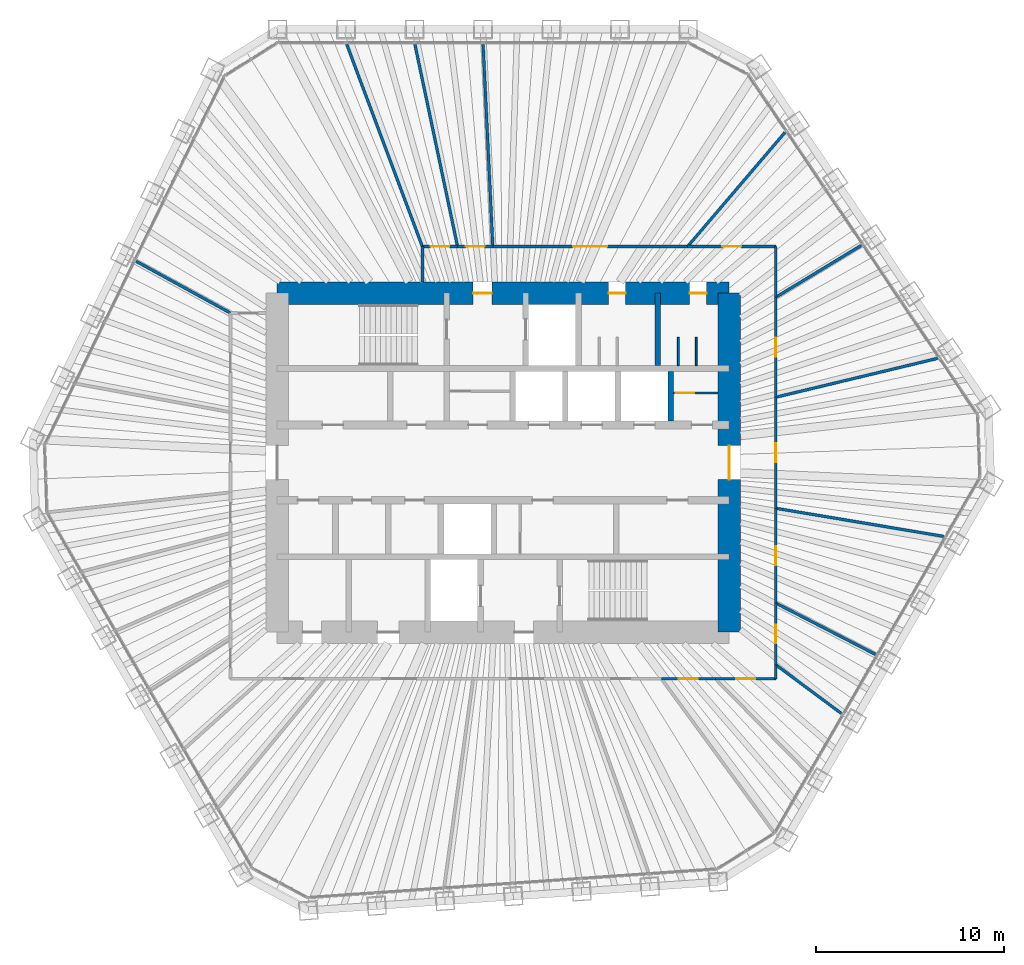
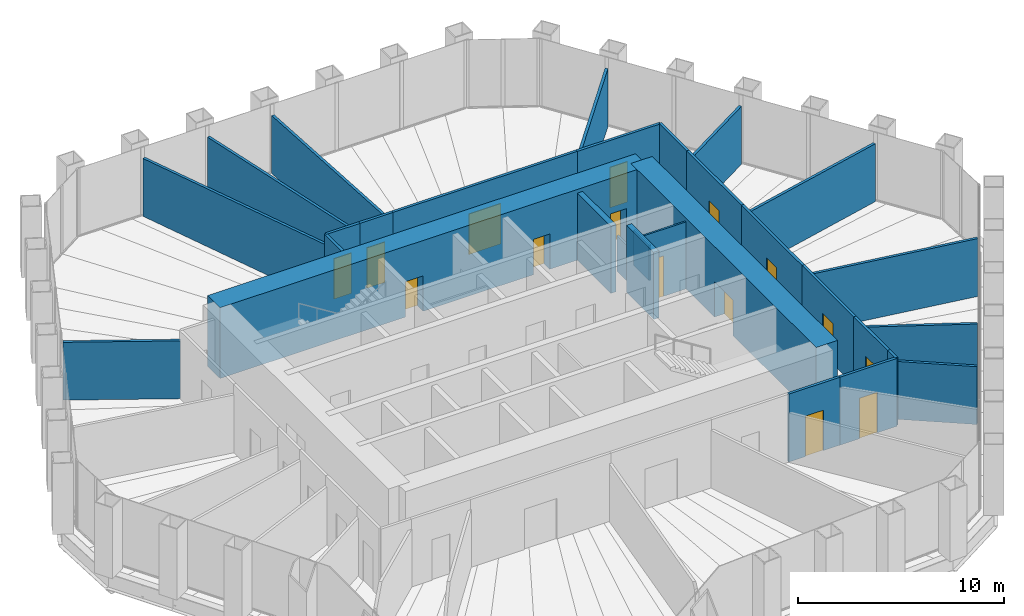
# One storey, part 12 of 14: 30 walls, 15 doors, 15 openings.
"""IFC4 building model written with IfcOpenShell, lengths in metres."""

from ifc_helpers import new_model, si_unit, direction, frame, frame_2d, origin, place, context, subcontext, project, spatial, rectangle, extrude, material, layer, layer_set, type_object, element, fill, save


model = new_model("IFC4")

# Units and contexts
model_context = context("Model", 3, precision=1e-05, world=origin(), true_north=direction((0.0, 1.0)))
body_context = subcontext(model_context, "Body", "Model", "MODEL_VIEW")
ifc_project = project(units=[si_unit("LENGTHUNIT", "METRE"), si_unit("AREAUNIT", "SQUARE_METRE"), si_unit("VOLUMEUNIT", "CUBIC_METRE"), si_unit("PLANEANGLEUNIT", "RADIAN"), si_unit("MASSUNIT", "GRAM", prefix="KILO")], contexts=[model_context])

# Site, building, storey
site_placement = place(None, origin())
site = spatial("IfcSite", under=ifc_project, at=site_placement, CompositionType="ELEMENT")
building_placement = place(site_placement, origin())
building = spatial("IfcBuilding", under=site, at=building_placement, Name="Qingtian Harvest Tower", CompositionType="ELEMENT")
storey_placement = place(building_placement, frame((0.0, 0.0, 243.39990234375)))
storey = spatial("IfcBuildingStorey", under=building, at=storey_placement, Name="L53", CompositionType="ELEMENT", Elevation=243.39990234375)

# Walls
ifc_material_1 = material(Name="Precast concrete shaft panel", Category="concrete")
ifc_layer_1 = layer(ifc_material_1, 0.300048828125)
ifc_layer_set_1 = layer_set([ifc_layer_1], Name="Core shaft partition SW1 300")
wall_type_1 = type_object("IfcWallType", Name="Core shaft partition SW1 300", PredefinedType="PARTITIONING", material=ifc_layer_set_1)
wall_1_placement = place(storey_placement, frame((8.199951171875, 5.14990234375, 0.0), z_axis=(0.0, 0.0, 1.0), x_axis=(0.0, 1.0, 0.0)))
element("IfcWall", 1, at=wall_1_placement, inside=storey, type_object=wall_type_1, Name="Core shaft partition XN4 L53", PredefinedType="PARTITIONING", context=body_context, shape_type="SweptSolid", body=[
    extrude(rectangle(XDim=3.85009765625, YDim=0.300048828125, at=frame_2d((1.925048828125, 0.0))), origin(), (0.0, 0.0, 1.0), 3.97998046875),
])
wall_2_placement = place(storey_placement, frame((8.89990234375, 2.199951171875, 0.0), z_axis=(0.0, 0.0, 1.0), x_axis=(0.0, 1.0, 0.0)))
element("IfcWall", 2, at=wall_2_placement, inside=storey, type_object=wall_type_1, Name="Core shaft partition XA6 L53", PredefinedType="PARTITIONING", context=body_context, shape_type="SweptSolid", body=[
    extrude(rectangle(XDim=2.650146484375, YDim=0.300048828125, at=frame_2d((1.3251953125, 0.0))), origin(), (0.0, 0.0, 1.0), 3.97998046875),
])

# Wall, openings, doors
ifc_material_2 = material(Name="Concrete fc' 70 MPa", Category="concrete")
ifc_layer_2 = layer(ifc_material_2, 1.199951171875)
ifc_layer_set_2 = layer_set([ifc_layer_2], Name="Core wall RC2 1200")
wall_type_2 = type_object("IfcWallType", Name="Core wall RC2 1200", PredefinedType="SHEAR", material=ifc_layer_set_2)
wall_3_placement = place(storey_placement, frame((-12.0, 9.0, 0.0), z_axis=(0.0, 0.0, 1.0), x_axis=(1.0, 0.0, 0.0)))
wall_3 = element("IfcWall", 3, at=wall_3_placement, inside=storey, type_object=wall_type_2, Name="Core wall CN L53", PredefinedType="SHEAR", context=body_context, shape_type="SweptSolid", body=[
    extrude(rectangle(XDim=24.0, YDim=1.199951171875, at=frame_2d((12.0, 0.0))), origin(), (0.0, 0.0, 1.0), 4.2001953125),
])
opening_1_placement = place(wall_3_placement, frame((10.39990234375, 0.0, 0.0)))
opening_1 = element("IfcOpeningElement", 4, at=opening_1_placement, cuts=wall_3, Name="Opening FD1", PredefinedType="OPENING", context=body_context, shape_type="SweptSolid", body=[
    extrude(rectangle(XDim=1.0, YDim=2.10009765625, at=frame_2d((0.5, 1.050048828125))), frame((0.0, 0.60986328125, 0.0), z_axis=(0.0, -1.0, 0.0), x_axis=(1.0, 0.0, 0.0)), (0.0, 0.0, 1.0), 1.219970703125),
])
opening_2_placement = place(wall_3_placement, frame((17.60009765625, 0.0, 0.0)))
opening_2 = element("IfcOpeningElement", 5, at=opening_2_placement, cuts=wall_3, Name="Opening D1", PredefinedType="OPENING", context=body_context, shape_type="SweptSolid", body=[
    extrude(rectangle(XDim=0.89990234375, YDim=2.10009765625, at=frame_2d((0.449951171875, 1.050048828125))), frame((0.0, 0.60986328125, 0.0), z_axis=(0.0, -1.0, 0.0), x_axis=(1.0, 0.0, 0.0)), (0.0, 0.0, 1.0), 1.219970703125),
])
opening_3_placement = place(wall_3_placement, frame((21.89990234375, 0.0, 0.0)))
opening_3 = element("IfcOpeningElement", 6, at=opening_3_placement, cuts=wall_3, Name="Opening D1", PredefinedType="OPENING", context=body_context, shape_type="SweptSolid", body=[
    extrude(rectangle(XDim=0.89990234375, YDim=2.10009765625, at=frame_2d((0.449951171875, 1.050048828125))), frame((0.0, 0.60986328125, 0.0), z_axis=(0.0, -1.0, 0.0), x_axis=(1.0, 0.0, 0.0)), (0.0, 0.0, 1.0), 1.219970703125),
])
ifc_material_3 = material(Name="Steel-faced door leaf", Category="steel")
door_type_1 = type_object("IfcDoorType", Name="Fire door FD1 single 1 HR", OperationType="SINGLE_SWING_LEFT", PredefinedType="DOOR", material=ifc_material_3)
door_1_placement = place(opening_1_placement, origin())
door_1 = element("IfcDoor", 7, at=door_1_placement, inside=storey, type_object=door_type_1, Name="V1 door L53", OperationType="SINGLE_SWING_LEFT", OverallHeight=2.10009765625, OverallWidth=1.0, PredefinedType="DOOR", context=body_context, shape_type="SweptSolid", body=[
    extrude(rectangle(XDim=1.0, YDim=2.10009765625, at=frame_2d((0.5, 1.050048828125))), frame((0.0, 0.02490234375, 0.0), z_axis=(0.0, -1.0, 0.0), x_axis=(1.0, 0.0, 0.0)), (0.0, 0.0, 1.0), 0.050048828125),
])
fill(opening_1, door_1)
ifc_material_4 = material(Name="Laminated timber door leaf", Category="wood")
door_type_2 = type_object("IfcDoorType", Name="Toilet door D1 single", OperationType="SINGLE_SWING_LEFT", PredefinedType="DOOR", material=ifc_material_4)
door_2_placement = place(opening_2_placement, origin())
door_2 = element("IfcDoor", 8, at=door_2_placement, inside=storey, type_object=door_type_2, Name="WCM door L53", OperationType="SINGLE_SWING_LEFT", OverallHeight=2.10009765625, OverallWidth=0.89990234375, PredefinedType="DOOR", context=body_context, shape_type="SweptSolid", body=[
    extrude(rectangle(XDim=0.89990234375, YDim=2.10009765625, at=frame_2d((0.449951171875, 1.050048828125))), frame((0.0, 0.02490234375, 0.0), z_axis=(0.0, -1.0, 0.0), x_axis=(1.0, 0.0, 0.0)), (0.0, 0.0, 1.0), 0.050048828125),
])
fill(opening_2, door_2)
door_3_placement = place(opening_3_placement, origin())
door_3 = element("IfcDoor", 9, at=door_3_placement, inside=storey, type_object=door_type_2, Name="WCF door L53", OperationType="SINGLE_SWING_LEFT", OverallHeight=2.10009765625, OverallWidth=0.89990234375, PredefinedType="DOOR", context=body_context, shape_type="SweptSolid", body=[
    extrude(rectangle(XDim=0.89990234375, YDim=2.10009765625, at=frame_2d((0.449951171875, 1.050048828125))), frame((0.0, 0.02490234375, 0.0), z_axis=(0.0, -1.0, 0.0), x_axis=(1.0, 0.0, 0.0)), (0.0, 0.0, 1.0), 0.050048828125),
])
fill(opening_3, door_3)

# Wall, opening, door
wall_4_placement = place(storey_placement, frame((12.0, -9.0, 0.0), z_axis=(0.0, 0.0, 1.0), x_axis=(0.0, 1.0, 0.0)))
wall_4 = element("IfcWall", 10, at=wall_4_placement, inside=storey, type_object=wall_type_2, Name="Core wall CE L53", PredefinedType="SHEAR", context=body_context, shape_type="SweptSolid", body=[
    extrude(rectangle(XDim=18.0, YDim=1.199951171875, at=frame_2d((9.0, 0.0))), origin(), (0.0, 0.0, 1.0), 4.2001953125),
])
opening_4_placement = place(wall_4_placement, frame((8.10009765625, 0.0, 0.0)))
opening_4 = element("IfcOpeningElement", 11, at=opening_4_placement, cuts=wall_4, Name="Opening FD2", PredefinedType="OPENING", context=body_context, shape_type="SweptSolid", body=[
    extrude(rectangle(XDim=1.800048828125, YDim=2.10009765625, at=frame_2d((0.89990234375, 1.050048828125))), frame((0.0, 0.60986328125, 0.0), z_axis=(0.0, -1.0, 0.0), x_axis=(1.0, 0.0, 0.0)), (0.0, 0.0, 1.0), 1.219970703125),
])
ifc_material_5 = material(Name="Steel-faced door leaf", Category="steel")
door_type_3 = type_object("IfcDoorType", Name="Fire door FD2 double 1 HR", OperationType="DOUBLE_DOOR_DOUBLE_SWING", PredefinedType="DOOR", material=ifc_material_5)
door_4_placement = place(opening_4_placement, origin())
door_4 = element("IfcDoor", 12, at=door_4_placement, inside=storey, type_object=door_type_3, Name="LOBBY-E door L53", OperationType="DOUBLE_DOOR_DOUBLE_SWING", OverallHeight=2.10009765625, OverallWidth=1.800048828125, PredefinedType="DOOR", context=body_context, shape_type="SweptSolid", body=[
    extrude(rectangle(XDim=1.800048828125, YDim=2.10009765625, at=frame_2d((0.89990234375, 1.050048828125))), frame((0.0, 0.02490234375, 0.0), z_axis=(0.0, -1.0, 0.0), x_axis=(1.0, 0.0, 0.0)), (0.0, 0.0, 1.0), 0.050048828125),
])
fill(opening_4, door_4)

# Walls
ifc_material_6 = material(Name="Gypsum board on steel studs", Category="steel")
ifc_layer_3 = layer(ifc_material_6, 0.14990234375)
ifc_layer_set_3 = layer_set([ifc_layer_3], Name="Partition PT1 150")
wall_type_3 = type_object("IfcWallType", Name="Partition PT1 150", PredefinedType="PARTITIONING", material=ifc_layer_set_3)
wall_5_placement = place(storey_placement, frame((-19.48583984375, 10.6904296875, 0.0), z_axis=(0.0, 0.0, 1.0), x_axis=(0.876724089264, -0.480993629172, 0.0)))
element("IfcWall", 13, at=wall_5_placement, inside=storey, type_object=wall_type_3, Name="Workplace zone wall L53", PredefinedType="PARTITIONING", context=body_context, shape_type="SweptSolid", body=[
    extrude(rectangle(XDim=5.71533203125, YDim=0.14990234375, at=frame_2d((2.857666015625, 0.0))), origin(), (0.0, 0.0, 1.0), 3.43017578125),
])
wall_6_placement = place(storey_placement, frame((-4.290771484375, 9.60009765625, 0.0), z_axis=(0.0, 0.0, 1.0), x_axis=(0.0, 1.0, 0.0)))
element("IfcWall", 14, at=wall_6_placement, inside=storey, type_object=wall_type_3, Name="Workplace zone wall L53", PredefinedType="PARTITIONING", context=body_context, shape_type="SweptSolid", body=[
    extrude(rectangle(XDim=1.875, YDim=0.14990234375, at=frame_2d((0.9375, 0.0))), origin(), (0.0, 0.0, 1.0), 4.030029296875),
])
wall_7_placement = place(storey_placement, frame((-8.303466796875, 22.206298828125, 0.0), z_axis=(0.0, 0.0, 1.0), x_axis=(0.350242883069, -0.936658914899, 0.0)))
element("IfcWall", 15, at=wall_7_placement, inside=storey, type_object=wall_type_3, Name="Private office wall L53", PredefinedType="PARTITIONING", context=body_context, shape_type="SweptSolid", body=[
    extrude(rectangle(XDim=11.456787109375, YDim=0.14990234375, at=frame_2d((5.728515625, 0.0))), origin(), (0.0, 0.0, 1.0), 3.43017578125),
])

# Wall, opening, door
wall_8_placement = place(storey_placement, frame((-4.290771484375, 11.47509765625, 0.0), z_axis=(0.0, 0.0, 1.0), x_axis=(1.0, 0.0, 0.0)))
wall_8 = element("IfcWall", 16, at=wall_8_placement, inside=storey, type_object=wall_type_3, Name="Private office wall L53", PredefinedType="PARTITIONING", context=body_context, shape_type="SweptSolid", body=[
    extrude(rectangle(XDim=1.869873046875, YDim=0.14990234375, at=frame_2d((0.93505859375, 0.0))), origin(), (0.0, 0.0, 1.0), 4.030029296875),
])
opening_5_placement = place(wall_8_placement, frame((0.434814453125, 0.0, 0.0)))
opening_5 = element("IfcOpeningElement", 17, at=opening_5_placement, cuts=wall_8, Name="Opening D2", PredefinedType="OPENING", context=body_context, shape_type="SweptSolid", body=[
    extrude(rectangle(XDim=1.0, YDim=2.39990234375, at=frame_2d((0.5, 1.199951171875))), frame((0.0, 0.0849609375, 0.0), z_axis=(0.0, -1.0, 0.0), x_axis=(1.0, 0.0, 0.0)), (0.0, 0.0, 1.0), 0.169921875),
])
ifc_material_7 = material(Name="Laminated timber door leaf", Category="wood")
door_type_4 = type_object("IfcDoorType", Name="Room door D2 single", OperationType="SINGLE_SWING_LEFT", PredefinedType="DOOR", material=ifc_material_7)
door_5_placement = place(opening_5_placement, origin())
door_5 = element("IfcDoor", 18, at=door_5_placement, inside=storey, type_object=door_type_4, Name="Private office door L53", OperationType="SINGLE_SWING_RIGHT", OverallHeight=2.39990234375, OverallWidth=1.0, PredefinedType="DOOR", context=body_context, shape_type="SweptSolid", body=[
    extrude(rectangle(XDim=1.0, YDim=2.39990234375, at=frame_2d((0.5, 1.199951171875))), frame((0.0, 0.02490234375, 0.0), z_axis=(0.0, -1.0, 0.0), x_axis=(1.0, 0.0, 0.0)), (0.0, 0.0, 1.0), 0.050048828125),
])
fill(opening_5, door_5)

# Wall
wall_9_placement = place(storey_placement, frame((-4.684326171875, 22.2021484375, 0.0), z_axis=(0.0, 0.0, 1.0), x_axis=(0.206456017157, -0.978455881979, 0.0)))
element("IfcWall", 19, at=wall_9_placement, inside=storey, type_object=wall_type_3, Name="Store room wall L53", PredefinedType="PARTITIONING", context=body_context, shape_type="SweptSolid", body=[
    extrude(rectangle(XDim=10.963134765625, YDim=0.14990234375, at=frame_2d((5.4814453125, 0.0))), origin(), (0.0, 0.0, 1.0), 3.43017578125),
])

# Wall, opening, door
wall_10_placement = place(storey_placement, frame((-2.4208984375, 11.47509765625, 0.0), z_axis=(0.0, 0.0, 1.0), x_axis=(1.0, 0.0, 0.0)))
wall_10 = element("IfcWall", 20, at=wall_10_placement, inside=storey, type_object=wall_type_3, Name="Store room wall L53", PredefinedType="PARTITIONING", context=body_context, shape_type="SweptSolid", body=[
    extrude(rectangle(XDim=1.86962890625, YDim=0.14990234375, at=frame_2d((0.934814453125, 0.0))), origin(), (0.0, 0.0, 1.0), 4.030029296875),
])
opening_6_placement = place(wall_10_placement, frame((0.434814453125, 0.0, 0.0)))
opening_6 = element("IfcOpeningElement", 21, at=opening_6_placement, cuts=wall_10, Name="Opening D2", PredefinedType="OPENING", context=body_context, shape_type="SweptSolid", body=[
    extrude(rectangle(XDim=1.0, YDim=2.39990234375, at=frame_2d((0.5, 1.199951171875))), frame((0.0, 0.0849609375, 0.0), z_axis=(0.0, -1.0, 0.0), x_axis=(1.0, 0.0, 0.0)), (0.0, 0.0, 1.0), 0.169921875),
])
door_6_placement = place(opening_6_placement, origin())
door_6 = element("IfcDoor", 22, at=door_6_placement, inside=storey, type_object=door_type_4, Name="Store room door L53", OperationType="SINGLE_SWING_RIGHT", OverallHeight=2.39990234375, OverallWidth=1.0, PredefinedType="DOOR", context=body_context, shape_type="SweptSolid", body=[
    extrude(rectangle(XDim=1.0, YDim=2.39990234375, at=frame_2d((0.5, 1.199951171875))), frame((0.0, 0.02490234375, 0.0), z_axis=(0.0, -1.0, 0.0), x_axis=(1.0, 0.0, 0.0)), (0.0, 0.0, 1.0), 0.050048828125),
])
fill(opening_6, door_6)

# Wall
wall_11_placement = place(storey_placement, frame((-1.066650390625, 22.2001953125, 0.0), z_axis=(0.0, 0.0, 1.0), x_axis=(0.047998335863, -0.998847415652, 0.0)))
element("IfcWall", 23, at=wall_11_placement, inside=storey, type_object=wall_type_3, Name="Workplace zone wall L53", PredefinedType="PARTITIONING", context=body_context, shape_type="SweptSolid", body=[
    extrude(rectangle(XDim=10.737548828125, YDim=0.14990234375, at=frame_2d((5.36865234375, 0.0))), origin(), (0.0, 0.0, 1.0), 3.43017578125),
])

# Wall, opening, door
wall_12_placement = place(storey_placement, frame((-0.55126953125, 11.47509765625, 0.0), z_axis=(0.0, 0.0, 1.0), x_axis=(1.0, 0.0, 0.0)))
wall_12 = element("IfcWall", 24, at=wall_12_placement, inside=storey, type_object=wall_type_3, Name="Workplace zone wall L53", PredefinedType="PARTITIONING", context=body_context, shape_type="SweptSolid", body=[
    extrude(rectangle(XDim=10.34228515625, YDim=0.14990234375, at=frame_2d((5.171142578125, 0.0))), origin(), (0.0, 0.0, 1.0), 4.030029296875),
])
opening_7_placement = place(wall_12_placement, frame((4.271240234375, 0.0, 0.0)))
opening_7 = element("IfcOpeningElement", 25, at=opening_7_placement, cuts=wall_12, Name="Opening D3", PredefinedType="OPENING", context=body_context, shape_type="SweptSolid", body=[
    extrude(rectangle(XDim=1.800048828125, YDim=2.39990234375, at=frame_2d((0.89990234375, 1.199951171875))), frame((0.0, 0.0849609375, 0.0), z_axis=(0.0, -1.0, 0.0), x_axis=(1.0, 0.0, 0.0)), (0.0, 0.0, 1.0), 0.169921875),
])
ifc_material_8 = material(Name="Laminated timber door leaf", Category="wood")
door_type_5 = type_object("IfcDoorType", Name="Room door D3 double", OperationType="DOUBLE_DOOR_DOUBLE_SWING", PredefinedType="DOOR", material=ifc_material_8)
door_7_placement = place(opening_7_placement, origin())
door_7 = element("IfcDoor", 26, at=door_7_placement, inside=storey, type_object=door_type_5, Name="Workplace zone door L53", OperationType="DOUBLE_DOOR_DOUBLE_SWING", OverallHeight=2.39990234375, OverallWidth=1.800048828125, PredefinedType="DOOR", context=body_context, shape_type="SweptSolid", body=[
    extrude(rectangle(XDim=1.800048828125, YDim=2.39990234375, at=frame_2d((0.89990234375, 1.199951171875))), frame((0.0, 0.02490234375, 0.0), z_axis=(0.0, -1.0, 0.0), x_axis=(1.0, 0.0, 0.0)), (0.0, 0.0, 1.0), 0.050048828125),
])
fill(opening_7, door_7)

# Wall
wall_13_placement = place(storey_placement, frame((14.9580078125, 17.530517578125, 0.0), z_axis=(0.0, 0.0, 1.0), x_axis=(-0.649097500837, -0.760705221756, 0.0)))
element("IfcWall", 27, at=wall_13_placement, inside=storey, type_object=wall_type_3, Name="Pantry wall L53", PredefinedType="PARTITIONING", context=body_context, shape_type="SweptSolid", body=[
    extrude(rectangle(XDim=7.960205078125, YDim=0.14990234375, at=frame_2d((3.97998046875, 0.0))), origin(), (0.0, 0.0, 1.0), 3.43017578125),
])

# Wall, opening, door
wall_14_placement = place(storey_placement, frame((9.791015625, 11.47509765625, 0.0), z_axis=(0.0, 0.0, 1.0), x_axis=(1.0, 0.0, 0.0)))
wall_14 = element("IfcWall", 28, at=wall_14_placement, inside=storey, type_object=wall_type_3, Name="Pantry wall L53", PredefinedType="PARTITIONING", context=body_context, shape_type="SweptSolid", body=[
    extrude(rectangle(XDim=4.68408203125, YDim=0.14990234375, at=frame_2d((2.342041015625, 0.0))), origin(), (0.0, 0.0, 1.0), 4.030029296875),
])
opening_8_placement = place(wall_14_placement, frame((1.842041015625, 0.0, 0.0)))
opening_8 = element("IfcOpeningElement", 29, at=opening_8_placement, cuts=wall_14, Name="Opening D2", PredefinedType="OPENING", context=body_context, shape_type="SweptSolid", body=[
    extrude(rectangle(XDim=1.0, YDim=2.39990234375, at=frame_2d((0.5, 1.199951171875))), frame((0.0, 0.0849609375, 0.0), z_axis=(0.0, -1.0, 0.0), x_axis=(1.0, 0.0, 0.0)), (0.0, 0.0, 1.0), 0.169921875),
])
door_8_placement = place(opening_8_placement, origin())
door_8 = element("IfcDoor", 30, at=door_8_placement, inside=storey, type_object=door_type_4, Name="Pantry door L53", OperationType="SINGLE_SWING_LEFT", OverallHeight=2.39990234375, OverallWidth=1.0, PredefinedType="DOOR", context=body_context, shape_type="SweptSolid", body=[
    extrude(rectangle(XDim=1.0, YDim=2.39990234375, at=frame_2d((0.5, 1.199951171875))), frame((0.0, 0.02490234375, 0.0), z_axis=(0.0, -1.0, 0.0), x_axis=(1.0, 0.0, 0.0)), (0.0, 0.0, 1.0), 0.050048828125),
])
fill(opening_8, door_8)

# Walls
wall_15_placement = place(storey_placement, frame((14.47509765625, 11.47509765625, 0.0), z_axis=(0.0, 0.0, 1.0), x_axis=(0.0, -1.0, 0.0)))
element("IfcWall", 31, at=wall_15_placement, inside=storey, type_object=wall_type_3, Name="Pantry wall L53", PredefinedType="PARTITIONING", context=body_context, shape_type="SweptSolid", body=[
    extrude(rectangle(XDim=2.691650390625, YDim=0.14990234375, at=frame_2d((1.345703125, 0.0))), origin(), (0.0, 0.0, 1.0), 4.030029296875),
])
wall_16_placement = place(storey_placement, frame((19.001220703125, 11.530029296875, 0.0), z_axis=(0.0, 0.0, 1.0), x_axis=(-0.854906581035, -0.518781975114, 0.0)))
element("IfcWall", 32, at=wall_16_placement, inside=storey, type_object=wall_type_3, Name="Print room wall L53", PredefinedType="PARTITIONING", context=body_context, shape_type="SweptSolid", body=[
    extrude(rectangle(XDim=5.294189453125, YDim=0.14990234375, at=frame_2d((2.64697265625, 0.0))), origin(), (0.0, 0.0, 1.0), 3.43017578125),
])

# Wall, opening, door
wall_17_placement = place(storey_placement, frame((14.47509765625, 8.783447265625, 0.0), z_axis=(0.0, 0.0, 1.0), x_axis=(0.0, -1.0, 0.0)))
wall_17 = element("IfcWall", 33, at=wall_17_placement, inside=storey, type_object=wall_type_3, Name="Print room wall L53", PredefinedType="PARTITIONING", context=body_context, shape_type="SweptSolid", body=[
    extrude(rectangle(XDim=5.308837890625, YDim=0.14990234375, at=frame_2d((2.654296875, 0.0))), origin(), (0.0, 0.0, 1.0), 4.030029296875),
])
opening_9_placement = place(wall_17_placement, frame((2.154296875, 0.0, 0.0)))
opening_9 = element("IfcOpeningElement", 34, at=opening_9_placement, cuts=wall_17, Name="Opening D2", PredefinedType="OPENING", context=body_context, shape_type="SweptSolid", body=[
    extrude(rectangle(XDim=1.0, YDim=2.39990234375, at=frame_2d((0.5, 1.199951171875))), frame((0.0, 0.0849609375, 0.0), z_axis=(0.0, -1.0, 0.0), x_axis=(1.0, 0.0, 0.0)), (0.0, 0.0, 1.0), 0.169921875),
])
door_9_placement = place(opening_9_placement, origin())
door_9 = element("IfcDoor", 35, at=door_9_placement, inside=storey, type_object=door_type_4, Name="Print room door L53", OperationType="SINGLE_SWING_LEFT", OverallHeight=2.39990234375, OverallWidth=1.0, PredefinedType="DOOR", context=body_context, shape_type="SweptSolid", body=[
    extrude(rectangle(XDim=1.0, YDim=2.39990234375, at=frame_2d((0.5, 1.199951171875))), frame((0.0, 0.02490234375, 0.0), z_axis=(0.0, -1.0, 0.0), x_axis=(1.0, 0.0, 0.0)), (0.0, 0.0, 1.0), 0.050048828125),
])
fill(opening_9, door_9)

# Wall
wall_18_placement = place(storey_placement, frame((23.052978515625, 5.53369140625, 0.0), z_axis=(0.0, 0.0, 1.0), x_axis=(-0.972377252501, -0.233414821335, 0.0)))
element("IfcWall", 36, at=wall_18_placement, inside=storey, type_object=wall_type_3, Name="Meeting room wall L53", PredefinedType="PARTITIONING", context=body_context, shape_type="SweptSolid", body=[
    extrude(rectangle(XDim=8.821533203125, YDim=0.14990234375, at=frame_2d((4.41064453125, 0.0))), origin(), (0.0, 0.0, 1.0), 3.43017578125),
])

# Wall, opening, door
wall_19_placement = place(storey_placement, frame((14.47509765625, 3.474609375, 0.0), z_axis=(0.0, 0.0, 1.0), x_axis=(0.0, -1.0, 0.0)))
wall_19 = element("IfcWall", 37, at=wall_19_placement, inside=storey, type_object=wall_type_3, Name="Meeting room wall L53", PredefinedType="PARTITIONING", context=body_context, shape_type="SweptSolid", body=[
    extrude(rectangle(XDim=5.896484375, YDim=0.14990234375, at=frame_2d((2.9482421875, 0.0))), origin(), (0.0, 0.0, 1.0), 4.030029296875),
])
opening_10_placement = place(wall_19_placement, frame((2.4482421875, 0.0, 0.0)))
opening_10 = element("IfcOpeningElement", 38, at=opening_10_placement, cuts=wall_19, Name="Opening D2", PredefinedType="OPENING", context=body_context, shape_type="SweptSolid", body=[
    extrude(rectangle(XDim=1.0, YDim=2.39990234375, at=frame_2d((0.5, 1.199951171875))), frame((0.0, 0.0849609375, 0.0), z_axis=(0.0, -1.0, 0.0), x_axis=(1.0, 0.0, 0.0)), (0.0, 0.0, 1.0), 0.169921875),
])
door_10_placement = place(opening_10_placement, origin())
door_10 = element("IfcDoor", 39, at=door_10_placement, inside=storey, type_object=door_type_4, Name="Meeting room door L53", OperationType="SINGLE_SWING_LEFT", OverallHeight=2.39990234375, OverallWidth=1.0, PredefinedType="DOOR", context=body_context, shape_type="SweptSolid", body=[
    extrude(rectangle(XDim=1.0, YDim=2.39990234375, at=frame_2d((0.5, 1.199951171875))), frame((0.0, 0.02490234375, 0.0), z_axis=(0.0, -1.0, 0.0), x_axis=(1.0, 0.0, 0.0)), (0.0, 0.0, 1.0), 0.050048828125),
])
fill(opening_10, door_10)

# Wall
wall_20_placement = place(storey_placement, frame((23.383056640625, -3.912109375, 0.0), z_axis=(0.0, 0.0, 1.0), x_axis=(-0.986293651891, 0.164999491631, 0.0)))
element("IfcWall", 40, at=wall_20_placement, inside=storey, type_object=wall_type_3, Name="Quiet room wall L53", PredefinedType="PARTITIONING", context=body_context, shape_type="SweptSolid", body=[
    extrude(rectangle(XDim=9.03173828125, YDim=0.14990234375, at=frame_2d((4.515869140625, 0.0))), origin(), (0.0, 0.0, 1.0), 3.43017578125),
])

# Wall, opening, door
wall_21_placement = place(storey_placement, frame((14.47509765625, -2.421875, 0.0), z_axis=(0.0, 0.0, 1.0), x_axis=(0.0, -1.0, 0.0)))
wall_21 = element("IfcWall", 41, at=wall_21_placement, inside=storey, type_object=wall_type_3, Name="Quiet room wall L53", PredefinedType="PARTITIONING", context=body_context, shape_type="SweptSolid", body=[
    extrude(rectangle(XDim=5.033203125, YDim=0.14990234375, at=frame_2d((2.5166015625, 0.0))), origin(), (0.0, 0.0, 1.0), 4.030029296875),
])
opening_11_placement = place(wall_21_placement, frame((2.0166015625, 0.0, 0.0)))
opening_11 = element("IfcOpeningElement", 42, at=opening_11_placement, cuts=wall_21, Name="Opening D2", PredefinedType="OPENING", context=body_context, shape_type="SweptSolid", body=[
    extrude(rectangle(XDim=1.0, YDim=2.39990234375, at=frame_2d((0.5, 1.199951171875))), frame((0.0, 0.0849609375, 0.0), z_axis=(0.0, -1.0, 0.0), x_axis=(1.0, 0.0, 0.0)), (0.0, 0.0, 1.0), 0.169921875),
])
door_11_placement = place(opening_11_placement, origin())
door_11 = element("IfcDoor", 43, at=door_11_placement, inside=storey, type_object=door_type_4, Name="Quiet room door L53", OperationType="SINGLE_SWING_LEFT", OverallHeight=2.39990234375, OverallWidth=1.0, PredefinedType="DOOR", context=body_context, shape_type="SweptSolid", body=[
    extrude(rectangle(XDim=1.0, YDim=2.39990234375, at=frame_2d((0.5, 1.199951171875))), frame((0.0, 0.02490234375, 0.0), z_axis=(0.0, -1.0, 0.0), x_axis=(1.0, 0.0, 0.0)), (0.0, 0.0, 1.0), 0.050048828125),
])
fill(opening_11, door_11)

# Wall
wall_22_placement = place(storey_placement, frame((19.759033203125, -10.176513671875, 0.0), z_axis=(0.0, 0.0, 1.0), x_axis=(-0.889015092721, 0.457877893017, 0.0)))
element("IfcWall", 44, at=wall_22_placement, inside=storey, type_object=wall_type_3, Name="Private office wall L53", PredefinedType="PARTITIONING", context=body_context, shape_type="SweptSolid", body=[
    extrude(rectangle(XDim=5.943603515625, YDim=0.14990234375, at=frame_2d((2.9716796875, 0.0))), origin(), (0.0, 0.0, 1.0), 3.43017578125),
])

# Wall, opening, door
wall_23_placement = place(storey_placement, frame((14.47509765625, -7.455078125, 0.0), z_axis=(0.0, 0.0, 1.0), x_axis=(0.0, -1.0, 0.0)))
wall_23 = element("IfcWall", 45, at=wall_23_placement, inside=storey, type_object=wall_type_3, Name="Private office wall L53", PredefinedType="PARTITIONING", context=body_context, shape_type="SweptSolid", body=[
    extrude(rectangle(XDim=3.277099609375, YDim=0.14990234375, at=frame_2d((1.638671875, 0.0))), origin(), (0.0, 0.0, 1.0), 4.030029296875),
])
opening_12_placement = place(wall_23_placement, frame((1.138671875, 0.0, 0.0)))
opening_12 = element("IfcOpeningElement", 46, at=opening_12_placement, cuts=wall_23, Name="Opening D2", PredefinedType="OPENING", context=body_context, shape_type="SweptSolid", body=[
    extrude(rectangle(XDim=1.0, YDim=2.39990234375, at=frame_2d((0.5, 1.199951171875))), frame((0.0, 0.0849609375, 0.0), z_axis=(0.0, -1.0, 0.0), x_axis=(1.0, 0.0, 0.0)), (0.0, 0.0, 1.0), 0.169921875),
])
door_12_placement = place(opening_12_placement, origin())
door_12 = element("IfcDoor", 47, at=door_12_placement, inside=storey, type_object=door_type_4, Name="Private office door L53", OperationType="SINGLE_SWING_RIGHT", OverallHeight=2.39990234375, OverallWidth=1.0, PredefinedType="DOOR", context=body_context, shape_type="SweptSolid", body=[
    extrude(rectangle(XDim=1.0, YDim=2.39990234375, at=frame_2d((0.5, 1.199951171875))), frame((0.0, 0.02490234375, 0.0), z_axis=(0.0, -1.0, 0.0), x_axis=(1.0, 0.0, 0.0)), (0.0, 0.0, 1.0), 0.050048828125),
])
fill(opening_12, door_12)

# Walls
wall_24_placement = place(storey_placement, frame((17.950927734375, -13.309326171875, 0.0), z_axis=(0.0, 0.0, 1.0), x_axis=(-0.803285242674, 0.595594508791, 0.0)))
element("IfcWall", 48, at=wall_24_placement, inside=storey, type_object=wall_type_3, Name="Private office wall L53", PredefinedType="PARTITIONING", context=body_context, shape_type="SweptSolid", body=[
    extrude(rectangle(XDim=4.326904296875, YDim=0.14990234375, at=frame_2d((2.16357421875, 0.0))), origin(), (0.0, 0.0, 1.0), 3.43017578125),
])
wall_25_placement = place(storey_placement, frame((14.47509765625, -10.732177734375, 0.0), z_axis=(0.0, 0.0, 1.0), x_axis=(0.0, -1.0, 0.0)))
element("IfcWall", 49, at=wall_25_placement, inside=storey, type_object=wall_type_3, Name="Private office wall L53", PredefinedType="PARTITIONING", context=body_context, shape_type="SweptSolid", body=[
    extrude(rectangle(XDim=0.742919921875, YDim=0.14990234375, at=frame_2d((0.37158203125, 0.0))), origin(), (0.0, 0.0, 1.0), 4.030029296875),
])

# Wall, opening, door
wall_26_placement = place(storey_placement, frame((14.47509765625, -11.47509765625, 0.0), z_axis=(0.0, 0.0, 1.0), x_axis=(-1.0, 0.0, 0.0)))
wall_26 = element("IfcWall", 50, at=wall_26_placement, inside=storey, type_object=wall_type_3, Name="Private office wall L53", PredefinedType="PARTITIONING", context=body_context, shape_type="SweptSolid", body=[
    extrude(rectangle(XDim=3.20947265625, YDim=0.14990234375, at=frame_2d((1.604736328125, 0.0))), origin(), (0.0, 0.0, 1.0), 4.030029296875),
])
opening_13_placement = place(wall_26_placement, frame((1.104736328125, 0.0, 0.0)))
opening_13 = element("IfcOpeningElement", 51, at=opening_13_placement, cuts=wall_26, Name="Opening D2", PredefinedType="OPENING", context=body_context, shape_type="SweptSolid", body=[
    extrude(rectangle(XDim=1.0, YDim=2.39990234375, at=frame_2d((0.5, 1.199951171875))), frame((0.0, 0.0849609375, 0.0), z_axis=(0.0, -1.0, 0.0), x_axis=(1.0, 0.0, 0.0)), (0.0, 0.0, 1.0), 0.169921875),
])
door_13_placement = place(opening_13_placement, origin())
door_13 = element("IfcDoor", 52, at=door_13_placement, inside=storey, type_object=door_type_4, Name="Private office door L53", OperationType="SINGLE_SWING_RIGHT", OverallHeight=2.39990234375, OverallWidth=1.0, PredefinedType="DOOR", context=body_context, shape_type="SweptSolid", body=[
    extrude(rectangle(XDim=1.0, YDim=2.39990234375, at=frame_2d((0.5, 1.199951171875))), frame((0.0, 0.02490234375, 0.0), z_axis=(0.0, -1.0, 0.0), x_axis=(1.0, 0.0, 0.0)), (0.0, 0.0, 1.0), 0.050048828125),
])
fill(opening_13, door_13)

wall_27_placement = place(storey_placement, frame((11.265625, -11.47509765625, 0.0), z_axis=(0.0, 0.0, 1.0), x_axis=(-1.0, 0.0, 0.0)))
wall_27 = element("IfcWall", 53, at=wall_27_placement, inside=storey, type_object=wall_type_3, Name="Private office wall L53", PredefinedType="PARTITIONING", context=body_context, shape_type="SweptSolid", body=[
    extrude(rectangle(XDim=2.863037109375, YDim=0.14990234375, at=frame_2d((1.431640625, 0.0))), origin(), (0.0, 0.0, 1.0), 4.030029296875),
])
opening_14_placement = place(wall_27_placement, frame((0.931640625, 0.0, 0.0)))
opening_14 = element("IfcOpeningElement", 54, at=opening_14_placement, cuts=wall_27, Name="Opening D2", PredefinedType="OPENING", context=body_context, shape_type="SweptSolid", body=[
    extrude(rectangle(XDim=1.0, YDim=2.39990234375, at=frame_2d((0.5, 1.199951171875))), frame((0.0, 0.0849609375, 0.0), z_axis=(0.0, -1.0, 0.0), x_axis=(1.0, 0.0, 0.0)), (0.0, 0.0, 1.0), 0.169921875),
])
door_14_placement = place(opening_14_placement, origin())
door_14 = element("IfcDoor", 55, at=door_14_placement, inside=storey, type_object=door_type_4, Name="Private office door L53", OperationType="SINGLE_SWING_RIGHT", OverallHeight=2.39990234375, OverallWidth=1.0, PredefinedType="DOOR", context=body_context, shape_type="SweptSolid", body=[
    extrude(rectangle(XDim=1.0, YDim=2.39990234375, at=frame_2d((0.5, 1.199951171875))), frame((0.0, 0.02490234375, 0.0), z_axis=(0.0, -1.0, 0.0), x_axis=(1.0, 0.0, 0.0)), (0.0, 0.0, 1.0), 0.050048828125),
])
fill(opening_14, door_14)

ifc_material_9 = material(Name="Concrete block partition", Category="concrete")
ifc_layer_4 = layer(ifc_material_9, 0.10009765625)
ifc_layer_set_4 = layer_set([ifc_layer_4], Name="Store partition PT3 100")
wall_type_4 = type_object("IfcWallType", Name="Store partition PT3 100", PredefinedType="PARTITIONING", material=ifc_layer_set_4)
wall_28_placement = place(storey_placement, frame((9.050048828125, 3.699951171875, 0.0), z_axis=(0.0, 0.0, 1.0), x_axis=(1.0, 0.0, 0.0)))
wall_28 = element("IfcWall", 56, at=wall_28_placement, inside=storey, type_object=wall_type_4, Name="Filter plant room wall L53", PredefinedType="PARTITIONING", context=body_context, shape_type="SweptSolid", body=[
    extrude(rectangle(XDim=2.349853515625, YDim=0.10009765625, at=frame_2d((1.1748046875, 0.0))), origin(), (0.0, 0.0, 1.0), 3.97998046875),
])
opening_15_placement = place(wall_28_placement, frame((0.10009765625, 0.0, 0.0)))
opening_15 = element("IfcOpeningElement", 57, at=opening_15_placement, cuts=wall_28, Name="Opening D2", PredefinedType="OPENING", context=body_context, shape_type="SweptSolid", body=[
    extrude(rectangle(XDim=1.0, YDim=2.39990234375, at=frame_2d((0.5, 1.199951171875))), frame((0.0, 0.06005859375, 0.0), z_axis=(0.0, -1.0, 0.0), x_axis=(1.0, 0.0, 0.0)), (0.0, 0.0, 1.0), 0.1201171875),
])
door_15_placement = place(opening_15_placement, origin())
door_15 = element("IfcDoor", 58, at=door_15_placement, inside=storey, type_object=door_type_4, Name="Filter plant room door L53", OperationType="SINGLE_SWING_LEFT", OverallHeight=2.39990234375, OverallWidth=1.0, PredefinedType="DOOR", context=body_context, shape_type="SweptSolid", body=[
    extrude(rectangle(XDim=1.0, YDim=2.39990234375, at=frame_2d((0.5, 1.199951171875))), frame((0.0, 0.02490234375, 0.0), z_axis=(0.0, -1.0, 0.0), x_axis=(1.0, 0.0, 0.0)), (0.0, 0.0, 1.0), 0.050048828125),
])
fill(opening_15, door_15)

# Walls
ifc_material_10 = material(Name="Compact laminate cubicle partition", Category="plastic")
ifc_layer_5 = layer(ifc_material_10, 0.10009765625)
ifc_layer_set_5 = layer_set([ifc_layer_5], Name="WC cubicle partition WP1 100")
wall_type_5 = type_object("IfcWallType", Name="WC cubicle partition WP1 100", PredefinedType="PARTITIONING", material=ifc_layer_set_5)
for number, where, z_axis, x_axis, name in (
    (59, (9.300048828125, 5.14990234375, 0.0), (0.0, 0.0, 1.0), (0.0, 1.0, 0.0), "WC cubicle partition WCF L53"),
    (60, (10.25, 5.14990234375, 0.0), (0.0, 0.0, 1.0), (0.0, 1.0, 0.0), "WC cubicle partition WCF L53"),
):
    element("IfcWall", number, at=place(storey_placement, frame(where, z_axis=z_axis, x_axis=x_axis)), inside=storey, type_object=wall_type_5, Name=name, PredefinedType="PARTITIONING", context=body_context, shape_type="SweptSolid", body=[
        extrude(rectangle(XDim=1.5, YDim=0.10009765625, at=frame_2d((0.75, 0.0))), origin(), (0.0, 0.0, 1.0), 2.10009765625),
    ])

save(model, "model.ifc")
